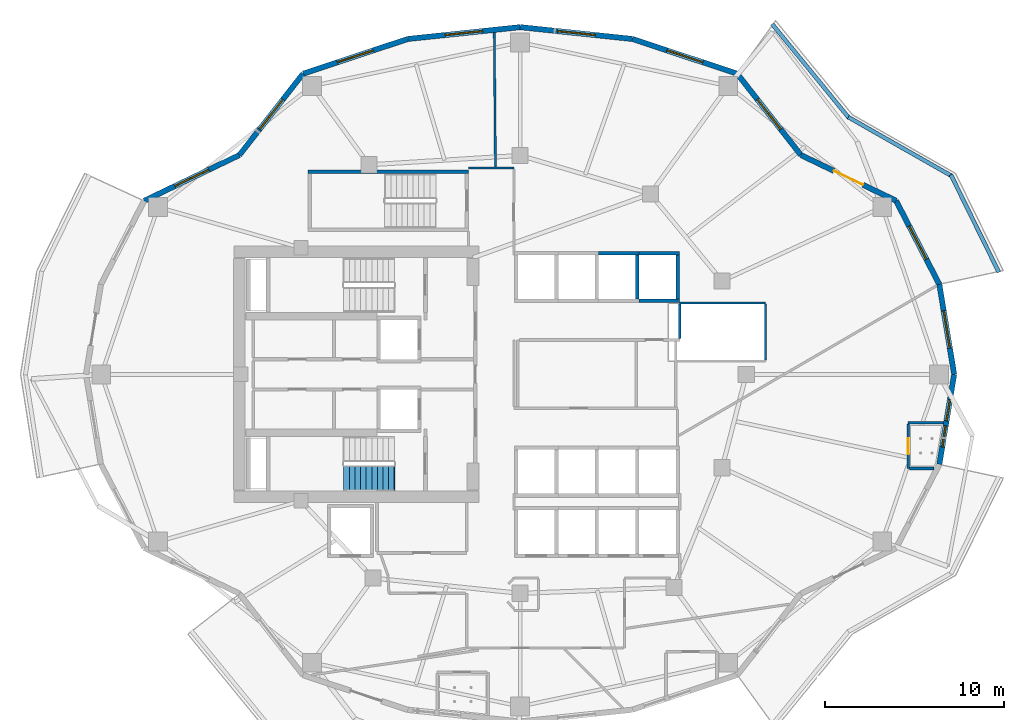
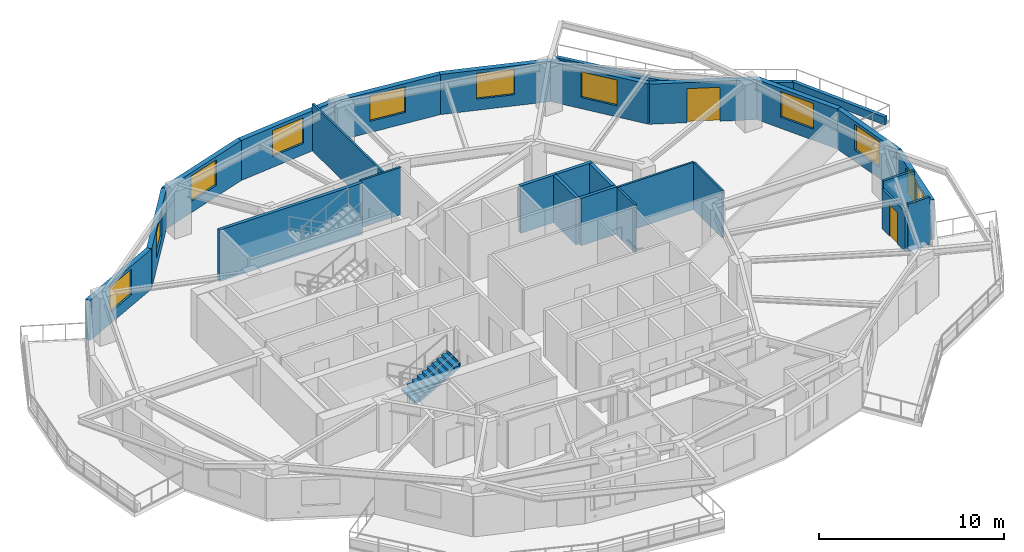
# One storey, part 6 of 14: 28 walls, 11 windows, 2 doors, 1 stair flight, 13 openings, 1 element without a shape of its own.
"""IFC4 building model written with IfcOpenShell, lengths in metres."""

import ifcopenshell
import ifcopenshell.guid

model = None  # the IFC model being written
_history = None  # IfcOwnerHistory: only IFC2X3 demands one
_inside = {}  # id of a spatial element -> (the spatial element, [elements in it])
_under = {}  # id of a project, library or spatial element -> (it, [spatial elements below it])
_declared = {}  # id of a project -> (the project, [libraries it declares])
_typed = {}  # id of a type object -> (the type object, [elements of that type])
_made_of = {}  # id of a material, layer set ... -> (it, [elements and type objects made of it])


def new_model(schema):
    """Start an empty IFC model of exactly this schema.

    Asked for "IFC4X3", IfcOpenShell would pick the latest addendum, in which some entities
    have other attributes; the version numbers below select the first issue.
    IFC2X3 requires an IfcOwnerHistory on every rooted entity: one is made here for all.
    """
    global model, _history
    if schema == "IFC4X3":
        model = ifcopenshell.file(schema_version=(4, 3, 0, 0))
    else:
        model = ifcopenshell.file(schema=schema)
    _inside.clear()
    _under.clear()
    _declared.clear()
    _typed.clear()
    _made_of.clear()
    _history = None
    if model.schema == "IFC2X3":
        org = make("IfcOrganization", Name="unknown")
        user = make(
            "IfcPersonAndOrganization",
            ThePerson=make("IfcPerson", FamilyName="unknown"),
            TheOrganization=org,
        )
        app = make(
            "IfcApplication",
            ApplicationDeveloper=org,
            Version="unknown",
            ApplicationFullName="unknown",
            ApplicationIdentifier="unknown",
        )
        _history = make(
            "IfcOwnerHistory",
            OwningUser=user,
            OwningApplication=app,
            ChangeAction="ADDED",
            CreationDate=0,
        )
    return model


def make(cls, **values):
    """One entity of the class cls with the attributes given. An attribute that is None is left unset."""
    return model.create_entity(
        cls, **{name: value for name, value in values.items() if value is not None}
    )


def rooted(cls, **values):
    """An entity with a GlobalId (a new one), such as an element, a storey or a relation."""
    return make(cls, GlobalId=ifcopenshell.guid.new(), OwnerHistory=_history, **values)


def si_unit(unit_type, name, prefix=None):
    """IfcSIUnit, for example si_unit("LENGTHUNIT", "METRE", prefix="MILLI")."""
    return make("IfcSIUnit", UnitType=unit_type, Prefix=prefix, Name=name)


def assignment(units):
    """IfcUnitAssignment: the units of a project."""
    return None if units is None else make("IfcUnitAssignment", Units=units)


def point(xyz):
    """IfcCartesianPoint."""
    return None if xyz is None else make("IfcCartesianPoint", Coordinates=xyz)


def direction(xyz):
    """IfcDirection."""
    return None if xyz is None else make("IfcDirection", DirectionRatios=xyz)


def frame(location, z_axis=None, x_axis=None):
    """IfcAxis2Placement3D, a coordinate frame: its origin and axes. An axis left out is left unset."""
    return make(
        "IfcAxis2Placement3D",
        Location=point(location),
        Axis=direction(z_axis),
        RefDirection=direction(x_axis),
    )


def frame_2d(location, x_axis=None):
    """IfcAxis2Placement2D, a coordinate frame in the plane: its origin and x axis."""
    return make(
        "IfcAxis2Placement2D", Location=point(location), RefDirection=direction(x_axis)
    )


def origin():
    """The frame at (0, 0, 0) with its axes left unset."""
    return frame((0.0, 0.0, 0.0))


def place(relative_to, where):
    """IfcLocalPlacement: puts the frame where relative to a parent placement (None: the world)."""
    return make(
        "IfcLocalPlacement", PlacementRelTo=relative_to, RelativePlacement=where
    )


def context(
    kind, dimensions, precision=None, world=None, true_north=None, identifier=None
):
    """IfcGeometricRepresentationContext, for example the 3D "Model" context."""
    return make(
        "IfcGeometricRepresentationContext",
        ContextIdentifier=identifier,
        ContextType=kind,
        CoordinateSpaceDimension=dimensions,
        Precision=precision,
        WorldCoordinateSystem=world,
        TrueNorth=true_north,
    )


def subcontext(parent, identifier, kind, view, scale=None):
    """IfcGeometricRepresentationSubContext, for example "Body" below "Model"."""
    return make(
        "IfcGeometricRepresentationSubContext",
        ContextIdentifier=identifier,
        ContextType=kind,
        ParentContext=parent,
        TargetScale=scale,
        TargetView=view,
    )


def project(units=None, contexts=None):
    """IfcProject with its units and contexts."""
    return rooted(
        "IfcProject",
        Name="project",
        RepresentationContexts=contexts,
        UnitsInContext=assignment(units),
    )


def spatial(cls, under=None, at=None, **own):
    """A site, building, storey or space (cls), placed at a placement, below another one or the project."""
    s = rooted(cls, ObjectPlacement=at, **own)
    if under is not None:
        _under.setdefault(under.id(), (under, []))[1].append(s)
    return s


def polyline(points):
    """IfcPolyline through the points."""
    return make("IfcPolyline", Points=[point(p) for p in points])


def profile(cls, at=None, kind="AREA", **sizes):
    """A parametric profile (cls). Its sizes go by their IFC names, for example OverallWidth=200.0."""
    return make(cls, ProfileType=kind, Position=at, **sizes)


def rectangle(**sizes):
    """IfcRectangleProfileDef."""
    return profile("IfcRectangleProfileDef", **sizes)


def outline(outer, holes=None, kind="AREA"):
    """IfcArbitraryClosedProfileDef: a profile drawn as a closed curve; with holes, ...WithVoids."""
    if holes is None:
        return make("IfcArbitraryClosedProfileDef", ProfileType=kind, OuterCurve=outer)
    return make(
        "IfcArbitraryProfileDefWithVoids",
        ProfileType=kind,
        OuterCurve=outer,
        InnerCurves=holes,
    )


def extrude(swept, where, along, depth):
    """IfcExtrudedAreaSolid: the profile swept, set in the frame where, extruded along a direction by depth."""
    return make(
        "IfcExtrudedAreaSolid",
        SweptArea=swept,
        Position=where,
        ExtrudedDirection=direction(along),
        Depth=depth,
    )


def shape(context_of_items, identifier, shape_type, items):
    """IfcShapeRepresentation: the items that make up one representation, for example the "Body"."""
    return make(
        "IfcShapeRepresentation",
        ContextOfItems=context_of_items,
        RepresentationIdentifier=identifier,
        RepresentationType=shape_type,
        Items=items,
    )


def material(Name=None, Category=None):
    """IfcMaterial."""
    return make("IfcMaterial", Name=Name, Category=Category)


def layer(
    of_material, thickness, ventilated=None, Name=None, Category=None, Priority=None
):
    """IfcMaterialLayer: one layer of a wall or slab, of a material (None: an air gap)."""
    return make(
        "IfcMaterialLayer",
        Material=of_material,
        LayerThickness=thickness,
        IsVentilated=ventilated,
        Name=Name,
        Category=Category,
        Priority=Priority,
    )


def layer_set(layers, Name=None):
    """IfcMaterialLayerSet."""
    return make("IfcMaterialLayerSet", MaterialLayers=layers, LayerSetName=Name)


def made_of(thing, what):
    """Note that an element or type object is made of a material, layer set ...; save() writes the relation."""
    if what is not None:
        _made_of.setdefault(what.id(), (what, []))[1].append(thing)
    return thing


def type_object(cls, material=None, **own):
    """A type object (cls), such as IfcWallType, which elements share."""
    return made_of(rooted(cls, **own), material)


def element(
    cls,
    number,
    at=None,
    inside=None,
    cuts=None,
    type_object=None,
    material=None,
    context=None,
    identifier="Body",
    shape_type=None,
    held_by="IfcProductDefinitionShape",
    body=None,
    shapes=None,
    **own,
):
    """One element of the class cls, such as IfcWall. Its Tag is "e" and its number.

    at: its placement. inside: the storey or other place that contains it. cuts: it is an
    opening in that element (IfcRelVoidsElement). A single representation is given by context,
    identifier, shape_type and body (its items); several are given by shapes. held_by: the class
    of the entity that holds the representations. save() writes the other relations.
    """
    e = rooted(cls, Tag="e%d" % number, ObjectPlacement=at, **own)
    if body is not None:
        shapes = [shape(context, identifier, shape_type, body)]
    if shapes is not None:
        e.Representation = make(held_by, Representations=shapes)
    if inside is not None:
        _inside.setdefault(inside.id(), (inside, []))[1].append(e)
    if cuts is not None:
        rooted(
            "IfcRelVoidsElement", RelatingBuildingElement=cuts, RelatedOpeningElement=e
        )
    if type_object is not None:
        _typed.setdefault(type_object.id(), (type_object, []))[1].append(e)
    return made_of(e, material)


def fill(opening, filler):
    """IfcRelFillsElement: the door or window that sits in an opening."""
    return rooted(
        "IfcRelFillsElement",
        RelatingOpeningElement=opening,
        RelatedBuildingElement=filler,
    )


def aggregate(whole, parts):
    """IfcRelAggregates: a whole, such as a stair, and the parts it consists of."""
    return rooted("IfcRelAggregates", RelatingObject=whole, RelatedObjects=parts)


def save(model, path):
    """Write the relations noted so far, then the file.

    IfcRelAggregates (storeys below a building ...), IfcRelContainedInSpatialStructure (elements
    in a storey), IfcRelDefinesByType, IfcRelAssociatesMaterial and IfcRelDeclares: one each for
    every whole, place, type object, material and project.
    """
    for whole, parts in _under.values():
        aggregate(whole, parts)
    for where, things in _inside.values():
        rooted(
            "IfcRelContainedInSpatialStructure",
            RelatedElements=things,
            RelatingStructure=where,
        )
    for kind, things in _typed.values():
        rooted("IfcRelDefinesByType", RelatedObjects=things, RelatingType=kind)
    for what, things in _made_of.values():
        rooted("IfcRelAssociatesMaterial", RelatedObjects=things, RelatingMaterial=what)
    for by, libraries in _declared.values():
        rooted("IfcRelDeclares", RelatingContext=by, RelatedDefinitions=libraries)
    model.write(path)


model = new_model("IFC4")

# Units and contexts
model_context = context("Model", 3, precision=1e-05, world=origin(), true_north=direction((0.0, 1.0)))
body_context = subcontext(model_context, "Body", "Model", "MODEL_VIEW")
ifc_project = project(units=[si_unit("LENGTHUNIT", "METRE"), si_unit("AREAUNIT", "SQUARE_METRE"), si_unit("VOLUMEUNIT", "CUBIC_METRE"), si_unit("PLANEANGLEUNIT", "RADIAN"), si_unit("MASSUNIT", "GRAM", prefix="KILO")], contexts=[model_context])

# Site, building, storey
site_placement = place(None, origin())
site = spatial("IfcSite", under=ifc_project, at=site_placement, CompositionType="ELEMENT")
building_placement = place(site_placement, origin())
building = spatial("IfcBuilding", under=site, at=building_placement, Name="Kolvaren Gate Tower and Convention Centre", CompositionType="ELEMENT")
storey_placement = place(building_placement, frame((0.0, 0.0, 105.300048828125)))
storey = spatial("IfcBuildingStorey", under=building, at=storey_placement, Name="L25", CompositionType="ELEMENT", Elevation=105.300048828125)

# Walls
ifc_material_1 = material(Name="Fire-Rated Acoustic Gypsum Stud Partition", Category="gypsum")
ifc_layer_1 = layer(ifc_material_1, 0.1201171875)
ifc_layer_set_1 = layer_set([ifc_layer_1], Name="Fire-Rated Acoustic Gypsum Stud Partition")
wall_type_1 = type_object("IfcWallType", Name="ARCH-WL-PART-120", PredefinedType="PARTITIONING", material=ifc_layer_set_1)
wall_1_placement = place(storey_placement, frame((27.25, 38.5, 0.0), z_axis=(0.0, 0.0, 1.0), x_axis=(1.0, 0.0, 0.0)))
element("IfcWall", 1, at=wall_1_placement, inside=storey, type_object=wall_type_1, Name="Interior Partition WL-L25-INT-026", PredefinedType="PARTITIONING", context=body_context, shape_type="SweptSolid", body=[
    extrude(rectangle(XDim=2.530029296875, YDim=0.1201171875, at=frame_2d((1.26513671875, 0.0))), origin(), (0.0, 0.0, 1.0), 3.1298828125),
])
wall_2_placement = place(storey_placement, frame((39.0, 30.97998046875, 0.0), z_axis=(0.0, 0.0, 1.0), x_axis=(1.0, 0.0, 0.0)))
element("IfcWall", 2, at=wall_2_placement, inside=storey, type_object=wall_type_1, Name="Interior Partition WL-L25-INT-030", PredefinedType="PARTITIONING", context=body_context, shape_type="SweptSolid", body=[
    extrude(rectangle(XDim=4.800048828125, YDim=0.1201171875, at=frame_2d((2.39990234375, 0.0))), origin(), (0.0, 0.0, 1.0), 3.1298828125),
])
wall_3_placement = place(storey_placement, frame((39.02001953125, 28.9970703125, 0.0), z_axis=(0.0, 0.0, 1.0), x_axis=(0.0, 1.0, 0.0)))
element("IfcWall", 3, at=wall_3_placement, inside=storey, type_object=wall_type_1, Name="Interior Partition WL-L25-INT-032", PredefinedType="PARTITIONING", context=body_context, shape_type="SweptSolid", body=[
    extrude(rectangle(XDim=1.9208984375, YDim=0.1201171875, at=frame_2d((0.96044921875, 0.0))), origin(), (0.0, 0.0, 1.0), 3.1298828125),
])
wall_4_placement = place(storey_placement, frame((43.800048828125, 27.81201171875, 0.0), z_axis=(0.0, 0.0, 1.0), x_axis=(0.0, 1.0, 0.0)))
element("IfcWall", 4, at=wall_4_placement, inside=storey, type_object=wall_type_1, Name="Interior Partition WL-L25-INT-052", PredefinedType="PARTITIONING", context=body_context, shape_type="SweptSolid", body=[
    extrude(rectangle(XDim=3.10595703125, YDim=0.1201171875, at=frame_2d((1.552978515625, 0.0))), origin(), (0.0, 0.0, 1.0), 3.1298828125),
])
wall_5_placement = place(storey_placement, frame((28.6845703125, 46.04541015625, 0.0), z_axis=(0.0, 0.0, 1.0), x_axis=(0.008677736673, -0.999962347734, 0.0)))
element("IfcWall", 5, at=wall_5_placement, inside=storey, type_object=wall_type_1, Name="Interior Partition WL-L25-INT-053", PredefinedType="PARTITIONING", context=body_context, shape_type="SweptSolid", body=[
    extrude(rectangle(XDim=7.483642578125, YDim=0.1201171875, at=frame_2d((3.74169921875, 0.0))), origin(), (0.0, 0.0, 1.0), 3.1298828125),
])
ifc_material_2 = material(Name="Piedmont Cream Honed Limestone Cladding", Category="masonry")
ifc_layer_2 = layer(ifc_material_2, 0.219970703125)
ifc_layer_set_2 = layer_set([ifc_layer_2], Name="Piedmont Cream Honed Limestone Cladding")
wall_type_2 = type_object("IfcWallType", Name="ARCH-WL-PLANTER-220", PredefinedType="PARAPET", material=ifc_layer_set_2)
wall_6_placement = place(storey_placement, frame((54.12890625, 38.12158203125, 0.0), z_axis=(0.0, 0.0, 1.0), x_axis=(0.441269631716, -0.897374566235, 0.0)))
element("IfcWall", 6, at=wall_6_placement, inside=storey, type_object=wall_type_2, Name="Vertical-Forest Balcony Stone Planter Kerb PK-L25-1.1", PredefinedType="PARAPET", context=body_context, shape_type="SweptSolid", body=[
    extrude(rectangle(XDim=6.05615234375, YDim=0.219970703125, at=frame_2d((3.028076171875, 0.0))), origin(), (0.0, 0.0, 1.0), 0.52001953125),
])
wall_7_placement = place(storey_placement, frame((48.41259765625, 41.332275390625, 0.0), z_axis=(0.0, 0.0, 1.0), x_axis=(0.869187658335, -0.494482370361, 0.0)))
element("IfcWall", 7, at=wall_7_placement, inside=storey, type_object=wall_type_2, Name="Vertical-Forest Balcony Stone Planter Kerb PK-L25-1.2", PredefinedType="PARAPET", context=body_context, shape_type="SweptSolid", body=[
    extrude(rectangle(XDim=6.606201171875, YDim=0.219970703125, at=frame_2d((3.30322265625, 0.0))), origin(), (0.0, 0.0, 1.0), 0.52001953125),
])
wall_8_placement = place(storey_placement, frame((44.1669921875, 46.523193359375, 0.0), z_axis=(0.0, 0.0, 1.0), x_axis=(0.633002467947, -0.77414977593, 0.0)))
element("IfcWall", 8, at=wall_8_placement, inside=storey, type_object=wall_type_2, Name="Vertical-Forest Balcony Stone Planter Kerb PK-L25-1.3", PredefinedType="PARAPET", context=body_context, shape_type="SweptSolid", body=[
    extrude(rectangle(XDim=6.7802734375, YDim=0.219970703125, at=frame_2d((3.39013671875, 0.0))), origin(), (0.0, 0.0, 1.0), 0.52001953125),
])
ifc_material_3 = material(Name="Autoclaved Aerated Masonry Blockwork Class 4 (4.0 MPa)", Category="masonry")
ifc_layer_3 = layer(ifc_material_3, 0.199951171875)
ifc_layer_set_3 = layer_set([ifc_layer_3], Name="Autoclaved Aerated Masonry Blockwork Class 4 (4.0 MPa)")
wall_type_3 = type_object("IfcWallType", Name="ARCH-WL-SHAFT-200", PredefinedType="SOLIDWALL", material=ifc_layer_set_3)
wall_9_placement = place(storey_placement, frame((34.5, 33.75, 0.0), z_axis=(0.0, 0.0, 1.0), x_axis=(1.0, 0.0, 0.0)))
element("IfcWall", 9, at=wall_9_placement, inside=storey, type_object=wall_type_3, Name="Elevator PL-03 L25 Fire Shaft Wall N", PredefinedType="SOLIDWALL", context=body_context, shape_type="SweptSolid", body=[
    extrude(rectangle(XDim=2.25, YDim=0.199951171875, at=frame_2d((1.125, 0.0))), origin(), (0.0, 0.0, 1.0), 3.1298828125),
])
wall_10_placement = place(storey_placement, frame((36.64990234375, 31.2099609375, 0.0), z_axis=(0.0, 0.0, 1.0), x_axis=(0.0, 1.0, 0.0)))
element("IfcWall", 10, at=wall_10_placement, inside=storey, type_object=wall_type_3, Name="Elevator PL-03 L25 Fire Shaft Wall E", PredefinedType="SOLIDWALL", context=body_context, shape_type="SweptSolid", body=[
    extrude(rectangle(XDim=2.429931640625, YDim=0.199951171875, at=frame_2d((1.21484375, 0.0))), origin(), (0.0, 0.0, 1.0), 3.1298828125),
])
for number, where, z_axis, x_axis, name in (
    (11, (36.75, 33.75, 0.0), (0.0, 0.0, 1.0), (1.0, 0.0, 0.0), "Elevator PL-04 L25 Fire Shaft Wall N"),
    (12, (36.75, 31.10009765625, 0.0), (0.0, 0.0, 1.0), (1.0, 0.0, 0.0), "Elevator PL-04 L25 Fire Shaft Wall S"),
):
    element("IfcWall", number, at=place(storey_placement, frame(where, z_axis=z_axis, x_axis=x_axis)), inside=storey, type_object=wall_type_3, Name=name, PredefinedType="SOLIDWALL", context=body_context, shape_type="SweptSolid", body=[
        extrude(rectangle(XDim=2.25, YDim=0.199951171875, at=frame_2d((1.125, 0.0))), origin(), (0.0, 0.0, 1.0), 3.1298828125),
    ])
wall_11_placement = place(storey_placement, frame((38.89990234375, 31.2099609375, 0.0), z_axis=(0.0, 0.0, 1.0), x_axis=(0.0, 1.0, 0.0)))
element("IfcWall", 13, at=wall_11_placement, inside=storey, type_object=wall_type_3, Name="Elevator PL-04 L25 Fire Shaft Wall E", PredefinedType="SOLIDWALL", context=body_context, shape_type="SweptSolid", body=[
    extrude(rectangle(XDim=2.429931640625, YDim=0.199951171875, at=frame_2d((1.21484375, 0.0))), origin(), (0.0, 0.0, 1.0), 3.1298828125),
])

# Wall, opening, window
ifc_layer_4 = layer(ifc_material_2, 0.300048828125)
ifc_layer_set_4 = layer_set([ifc_layer_4], Name="Piedmont Cream Honed Limestone Cladding")
wall_type_4 = type_object("IfcWallType", Name="ARCH-WL-STONE-300", PredefinedType="SOLIDWALL", material=ifc_layer_set_4)
wall_12_placement = place(storey_placement, frame((53.48828125, 32.008056640625, 0.0), z_axis=(0.0, 0.0, 1.0), x_axis=(0.162393944769, -0.986726003864, 0.0)))
wall_12 = element("IfcWall", 14, at=wall_12_placement, inside=storey, type_object=wall_type_4, Name="Tower L25 Honed Stone Spandrel Wall EW-00", PredefinedType="SOLIDWALL", context=body_context, shape_type="SweptSolid", body=[
    extrude(rectangle(XDim=5.075439453125, YDim=0.300048828125, at=frame_2d((2.53759765625, 0.0))), origin(), (0.0, 0.0, 1.0), 2.65283203125),
])
opening_1_placement = place(wall_12_placement, frame((1.488037109375, 0.0, 0.739990234375)))
opening_1 = element("IfcOpeningElement", 15, at=opening_1_placement, cuts=wall_12, Name="Opening W-02", PredefinedType="OPENING", context=body_context, shape_type="SweptSolid", body=[
    extrude(rectangle(XDim=2.10009765625, YDim=1.699951171875, at=frame_2d((1.050048828125, 0.85009765625))), frame((0.0, 0.159912109375, 0.0), z_axis=(0.0, -1.0, 0.0), x_axis=(1.0, 0.0, 0.0)), (0.0, 0.0, 1.0), 0.320068359375),
])
ifc_material_4 = material(Name="Low-E Triple Insulated Glazing Unit 44 mm", Category="glass")
window_type_1 = type_object("IfcWindowType", Name="ARCH-WN-HTL-2100", PartitioningType="SINGLE_PANEL", PredefinedType="WINDOW", material=ifc_material_4)
window_1_placement = place(opening_1_placement, origin())
window_1 = element("IfcWindow", 16, at=window_1_placement, inside=storey, type_object=window_type_1, Name="Tower L25 Punched Stone Facade Window W-00", OverallHeight=1.699951171875, OverallWidth=2.10009765625, PartitioningType="SINGLE_PANEL", PredefinedType="WINDOW", context=body_context, shape_type="SweptSolid", body=[
    extrude(rectangle(XDim=2.10009765625, YDim=1.699951171875, at=frame_2d((1.050048828125, 0.85009765625))), frame((0.0, 0.030029296875, 0.0), z_axis=(0.0, -1.0, 0.0), x_axis=(1.0, 0.0, 0.0)), (0.0, 0.0, 1.0), 0.06005859375),
])
fill(opening_1, window_1)

wall_13_placement = place(storey_placement, frame((51.072021484375, 36.675048828125, 0.0), z_axis=(0.0, 0.0, 1.0), x_axis=(0.459767899643, -0.888039119892, 0.0)))
wall_13 = element("IfcWall", 17, at=wall_13_placement, inside=storey, type_object=wall_type_4, Name="Tower L25 Honed Stone Spandrel Wall EW-01", PredefinedType="SOLIDWALL", context=body_context, shape_type="SweptSolid", body=[
    extrude(rectangle(XDim=5.25537109375, YDim=0.300048828125, at=frame_2d((2.627685546875, 0.0))), origin(), (0.0, 0.0, 1.0), 2.65283203125),
])
opening_2_placement = place(wall_13_placement, frame((1.577880859375, 0.0, 0.739990234375)))
opening_2 = element("IfcOpeningElement", 18, at=opening_2_placement, cuts=wall_13, Name="Opening W-02", PredefinedType="OPENING", context=body_context, shape_type="SweptSolid", body=[
    extrude(rectangle(XDim=2.10009765625, YDim=1.699951171875, at=frame_2d((1.050048828125, 0.85009765625))), frame((0.0, 0.159912109375, 0.0), z_axis=(0.0, -1.0, 0.0), x_axis=(1.0, 0.0, 0.0)), (0.0, 0.0, 1.0), 0.320068359375),
])
window_2_placement = place(opening_2_placement, origin())
window_2 = element("IfcWindow", 19, at=window_2_placement, inside=storey, type_object=window_type_1, Name="Tower L25 Punched Stone Facade Window W-01", OverallHeight=1.699951171875, OverallWidth=2.10009765625, PartitioningType="SINGLE_PANEL", PredefinedType="WINDOW", context=body_context, shape_type="SweptSolid", body=[
    extrude(rectangle(XDim=2.10009765625, YDim=1.699951171875, at=frame_2d((1.050048828125, 0.85009765625))), frame((0.0, 0.030029296875, 0.0), z_axis=(0.0, -1.0, 0.0), x_axis=(1.0, 0.0, 0.0)), (0.0, 0.0, 1.0), 0.06005859375),
])
fill(opening_2, window_2)

# Wall, opening, door
wall_14_placement = place(storey_placement, frame((45.768798828125, 39.222900390625, 0.0), z_axis=(0.0, 0.0, 1.0), x_axis=(0.901370184739, -0.433049408339, 0.0)))
wall_14 = element("IfcWall", 20, at=wall_14_placement, inside=storey, type_object=wall_type_4, Name="Tower L25 Honed Stone Spandrel Wall EW-02", PredefinedType="SOLIDWALL", context=body_context, shape_type="SweptSolid", body=[
    extrude(rectangle(XDim=5.883544921875, YDim=0.300048828125, at=frame_2d((2.94189453125, 0.0))), origin(), (0.0, 0.0, 1.0), 2.65283203125),
])
opening_3_placement = place(wall_14_placement, frame((2.0419921875, 0.0, 0.0)))
opening_3 = element("IfcOpeningElement", 21, at=opening_3_placement, cuts=wall_14, Name="Opening DB-01", PredefinedType="OPENING", context=body_context, shape_type="SweptSolid", body=[
    extrude(rectangle(XDim=1.800048828125, YDim=2.25, at=frame_2d((0.89990234375, 1.125))), frame((0.0, 0.159912109375, 0.0), z_axis=(0.0, -1.0, 0.0), x_axis=(1.0, 0.0, 0.0)), (0.0, 0.0, 1.0), 0.320068359375),
])
ifc_material_5 = material(Name="Anodized Architectural Aluminium Alloy 6063-T6", Category="aluminium")
door_type_1 = type_object("IfcDoorType", Name="ARCH-DR-BALC-1800", OperationType="SLIDING_TO_LEFT", PredefinedType="DOOR", material=ifc_material_5)
door_1_placement = place(opening_3_placement, origin())
door_1 = element("IfcDoor", 22, at=door_1_placement, inside=storey, type_object=door_type_1, Name="Planted Sky Terrace Access Door DB-L25-02", OperationType="SLIDING_TO_LEFT", OverallHeight=2.25, OverallWidth=1.800048828125, PredefinedType="DOOR", context=body_context, shape_type="SweptSolid", body=[
    extrude(rectangle(XDim=1.800048828125, YDim=2.25, at=frame_2d((0.89990234375, 1.125))), frame((0.0, 0.02490234375, 0.0), z_axis=(0.0, -1.0, 0.0), x_axis=(1.0, 0.0, 0.0)), (0.0, 0.0, 1.0), 0.050048828125),
])
fill(opening_3, door_1)

# Wall, opening, window
wall_15_placement = place(storey_placement, frame((42.21875, 43.757568359375, 0.0), z_axis=(0.0, 0.0, 1.0), x_axis=(0.616435134162, -0.787405693001, 0.0)))
wall_15 = element("IfcWall", 23, at=wall_15_placement, inside=storey, type_object=wall_type_4, Name="Tower L25 Honed Stone Spandrel Wall EW-03", PredefinedType="SOLIDWALL", context=body_context, shape_type="SweptSolid", body=[
    extrude(rectangle(XDim=5.759033203125, YDim=0.300048828125, at=frame_2d((2.87939453125, 0.0))), origin(), (0.0, 0.0, 1.0), 2.65283203125),
])
opening_4_placement = place(wall_15_placement, frame((1.8291015625, 0.0, 0.739990234375)))
opening_4 = element("IfcOpeningElement", 24, at=opening_4_placement, cuts=wall_15, Name="Opening W-02", PredefinedType="OPENING", context=body_context, shape_type="SweptSolid", body=[
    extrude(rectangle(XDim=2.10009765625, YDim=1.699951171875, at=frame_2d((1.050048828125, 0.85009765625))), frame((0.0, 0.159912109375, 0.0), z_axis=(0.0, -1.0, 0.0), x_axis=(1.0, 0.0, 0.0)), (0.0, 0.0, 1.0), 0.320068359375),
])
window_3_placement = place(opening_4_placement, origin())
window_3 = element("IfcWindow", 25, at=window_3_placement, inside=storey, type_object=window_type_1, Name="Tower L25 Punched Stone Facade Window W-03", OverallHeight=1.699951171875, OverallWidth=2.10009765625, PartitioningType="SINGLE_PANEL", PredefinedType="WINDOW", context=body_context, shape_type="SweptSolid", body=[
    extrude(rectangle(XDim=2.10009765625, YDim=1.699951171875, at=frame_2d((1.050048828125, 0.85009765625))), frame((0.0, 0.030029296875, 0.0), z_axis=(0.0, -1.0, 0.0), x_axis=(1.0, 0.0, 0.0)), (0.0, 0.0, 1.0), 0.06005859375),
])
fill(opening_4, window_3)

wall_16_placement = place(storey_placement, frame((36.38525390625, 45.690673828125, 0.0), z_axis=(0.0, 0.0, 1.0), x_axis=(0.949238009374, -0.314558741032, 0.0)))
wall_16 = element("IfcWall", 26, at=wall_16_placement, inside=storey, type_object=wall_type_4, Name="Tower L25 Honed Stone Spandrel Wall EW-04", PredefinedType="SOLIDWALL", context=body_context, shape_type="SweptSolid", body=[
    extrude(rectangle(XDim=6.1455078125, YDim=0.300048828125, at=frame_2d((3.07275390625, 0.0))), origin(), (0.0, 0.0, 1.0), 2.65283203125),
])
opening_5_placement = place(wall_16_placement, frame((2.02294921875, 0.0, 0.739990234375)))
opening_5 = element("IfcOpeningElement", 27, at=opening_5_placement, cuts=wall_16, Name="Opening W-02", PredefinedType="OPENING", context=body_context, shape_type="SweptSolid", body=[
    extrude(rectangle(XDim=2.10009765625, YDim=1.699951171875, at=frame_2d((1.050048828125, 0.85009765625))), frame((0.0, 0.159912109375, 0.0), z_axis=(0.0, -1.0, 0.0), x_axis=(1.0, 0.0, 0.0)), (0.0, 0.0, 1.0), 0.320068359375),
])
window_4_placement = place(opening_5_placement, origin())
window_4 = element("IfcWindow", 28, at=window_4_placement, inside=storey, type_object=window_type_1, Name="Tower L25 Punched Stone Facade Window W-04", OverallHeight=1.699951171875, OverallWidth=2.10009765625, PartitioningType="SINGLE_PANEL", PredefinedType="WINDOW", context=body_context, shape_type="SweptSolid", body=[
    extrude(rectangle(XDim=2.10009765625, YDim=1.699951171875, at=frame_2d((1.050048828125, 0.85009765625))), frame((0.0, 0.030029296875, 0.0), z_axis=(0.0, -1.0, 0.0), x_axis=(1.0, 0.0, 0.0)), (0.0, 0.0, 1.0), 0.06005859375),
])
fill(opening_5, window_4)

wall_17_placement = place(storey_placement, frame((30.125, 46.35009765625, 0.0), z_axis=(0.0, 0.0, 1.0), x_axis=(0.994498012394, -0.104755445421, 0.0)))
wall_17 = element("IfcWall", 29, at=wall_17_placement, inside=storey, type_object=wall_type_4, Name="Tower L25 Honed Stone Spandrel Wall EW-05", PredefinedType="SOLIDWALL", context=body_context, shape_type="SweptSolid", body=[
    extrude(rectangle(XDim=6.294921875, YDim=0.300048828125, at=frame_2d((3.1474609375, 0.0))), origin(), (0.0, 0.0, 1.0), 2.65283203125),
])
opening_6_placement = place(wall_17_placement, frame((2.096923828125, 0.0, 0.739990234375)))
opening_6 = element("IfcOpeningElement", 30, at=opening_6_placement, cuts=wall_17, Name="Opening W-02", PredefinedType="OPENING", context=body_context, shape_type="SweptSolid", body=[
    extrude(rectangle(XDim=2.10009765625, YDim=1.699951171875, at=frame_2d((1.050048828125, 0.85009765625))), frame((0.0, 0.159912109375, 0.0), z_axis=(0.0, -1.0, 0.0), x_axis=(1.0, 0.0, 0.0)), (0.0, 0.0, 1.0), 0.320068359375),
])
window_5_placement = place(opening_6_placement, origin())
window_5 = element("IfcWindow", 31, at=window_5_placement, inside=storey, type_object=window_type_1, Name="Tower L25 Punched Stone Facade Window W-05", OverallHeight=1.699951171875, OverallWidth=2.10009765625, PartitioningType="SINGLE_PANEL", PredefinedType="WINDOW", context=body_context, shape_type="SweptSolid", body=[
    extrude(rectangle(XDim=2.10009765625, YDim=1.699951171875, at=frame_2d((1.050048828125, 0.85009765625))), frame((0.0, 0.030029296875, 0.0), z_axis=(0.0, -1.0, 0.0), x_axis=(1.0, 0.0, 0.0)), (0.0, 0.0, 1.0), 0.06005859375),
])
fill(opening_6, window_5)

wall_18_placement = place(storey_placement, frame((23.86474609375, 45.690673828125, 0.0), z_axis=(0.0, 0.0, 1.0), x_axis=(0.994498012394, 0.104755445421, 0.0)))
wall_18 = element("IfcWall", 32, at=wall_18_placement, inside=storey, type_object=wall_type_4, Name="Tower L25 Honed Stone Spandrel Wall EW-06", PredefinedType="SOLIDWALL", context=body_context, shape_type="SweptSolid", body=[
    extrude(rectangle(XDim=6.294921875, YDim=0.300048828125, at=frame_2d((3.1474609375, 0.0))), origin(), (0.0, 0.0, 1.0), 2.65283203125),
])
opening_7_placement = place(wall_18_placement, frame((2.096923828125, 0.0, 0.739990234375)))
opening_7 = element("IfcOpeningElement", 33, at=opening_7_placement, cuts=wall_18, Name="Opening W-02", PredefinedType="OPENING", context=body_context, shape_type="SweptSolid", body=[
    extrude(rectangle(XDim=2.10009765625, YDim=1.699951171875, at=frame_2d((1.050048828125, 0.85009765625))), frame((0.0, 0.159912109375, 0.0), z_axis=(0.0, -1.0, 0.0), x_axis=(1.0, 0.0, 0.0)), (0.0, 0.0, 1.0), 0.320068359375),
])
window_6_placement = place(opening_7_placement, origin())
window_6 = element("IfcWindow", 34, at=window_6_placement, inside=storey, type_object=window_type_1, Name="Tower L25 Punched Stone Facade Window W-06", OverallHeight=1.699951171875, OverallWidth=2.10009765625, PartitioningType="SINGLE_PANEL", PredefinedType="WINDOW", context=body_context, shape_type="SweptSolid", body=[
    extrude(rectangle(XDim=2.10009765625, YDim=1.699951171875, at=frame_2d((1.050048828125, 0.85009765625))), frame((0.0, 0.030029296875, 0.0), z_axis=(0.0, -1.0, 0.0), x_axis=(1.0, 0.0, 0.0)), (0.0, 0.0, 1.0), 0.06005859375),
])
fill(opening_7, window_6)

wall_19_placement = place(storey_placement, frame((18.03125, 43.757568359375, 0.0), z_axis=(0.0, 0.0, 1.0), x_axis=(0.949238009374, 0.314558741032, 0.0)))
wall_19 = element("IfcWall", 35, at=wall_19_placement, inside=storey, type_object=wall_type_4, Name="Tower L25 Honed Stone Spandrel Wall EW-07", PredefinedType="SOLIDWALL", context=body_context, shape_type="SweptSolid", body=[
    extrude(rectangle(XDim=6.1455078125, YDim=0.300048828125, at=frame_2d((3.07275390625, 0.0))), origin(), (0.0, 0.0, 1.0), 2.65283203125),
])
opening_8_placement = place(wall_19_placement, frame((2.02294921875, 0.0, 0.739990234375)))
opening_8 = element("IfcOpeningElement", 36, at=opening_8_placement, cuts=wall_19, Name="Opening W-02", PredefinedType="OPENING", context=body_context, shape_type="SweptSolid", body=[
    extrude(rectangle(XDim=2.10009765625, YDim=1.699951171875, at=frame_2d((1.050048828125, 0.85009765625))), frame((0.0, 0.159912109375, 0.0), z_axis=(0.0, -1.0, 0.0), x_axis=(1.0, 0.0, 0.0)), (0.0, 0.0, 1.0), 0.320068359375),
])
window_7_placement = place(opening_8_placement, origin())
window_7 = element("IfcWindow", 37, at=window_7_placement, inside=storey, type_object=window_type_1, Name="Tower L25 Punched Stone Facade Window W-07", OverallHeight=1.699951171875, OverallWidth=2.10009765625, PartitioningType="SINGLE_PANEL", PredefinedType="WINDOW", context=body_context, shape_type="SweptSolid", body=[
    extrude(rectangle(XDim=2.10009765625, YDim=1.699951171875, at=frame_2d((1.050048828125, 0.85009765625))), frame((0.0, 0.030029296875, 0.0), z_axis=(0.0, -1.0, 0.0), x_axis=(1.0, 0.0, 0.0)), (0.0, 0.0, 1.0), 0.06005859375),
])
fill(opening_8, window_7)

wall_20_placement = place(storey_placement, frame((14.481201171875, 39.222900390625, 0.0), z_axis=(0.0, 0.0, 1.0), x_axis=(0.616435134162, 0.787405693001, 0.0)))
wall_20 = element("IfcWall", 38, at=wall_20_placement, inside=storey, type_object=wall_type_4, Name="Tower L25 Honed Stone Spandrel Wall EW-08", PredefinedType="SOLIDWALL", context=body_context, shape_type="SweptSolid", body=[
    extrude(rectangle(XDim=5.759033203125, YDim=0.300048828125, at=frame_2d((2.87939453125, 0.0))), origin(), (0.0, 0.0, 1.0), 2.65283203125),
])
opening_9_placement = place(wall_20_placement, frame((1.8291015625, 0.0, 0.739990234375)))
opening_9 = element("IfcOpeningElement", 39, at=opening_9_placement, cuts=wall_20, Name="Opening W-02", PredefinedType="OPENING", context=body_context, shape_type="SweptSolid", body=[
    extrude(rectangle(XDim=2.10009765625, YDim=1.699951171875, at=frame_2d((1.050048828125, 0.85009765625))), frame((0.0, 0.159912109375, 0.0), z_axis=(0.0, -1.0, 0.0), x_axis=(1.0, 0.0, 0.0)), (0.0, 0.0, 1.0), 0.320068359375),
])
window_8_placement = place(opening_9_placement, origin())
window_8 = element("IfcWindow", 40, at=window_8_placement, inside=storey, type_object=window_type_1, Name="Tower L25 Punched Stone Facade Window W-08", OverallHeight=1.699951171875, OverallWidth=2.10009765625, PartitioningType="SINGLE_PANEL", PredefinedType="WINDOW", context=body_context, shape_type="SweptSolid", body=[
    extrude(rectangle(XDim=2.10009765625, YDim=1.699951171875, at=frame_2d((1.050048828125, 0.85009765625))), frame((0.0, 0.030029296875, 0.0), z_axis=(0.0, -1.0, 0.0), x_axis=(1.0, 0.0, 0.0)), (0.0, 0.0, 1.0), 0.06005859375),
])
fill(opening_9, window_8)

wall_21_placement = place(storey_placement, frame((9.177978515625, 36.675048828125, 0.0), z_axis=(0.0, 0.0, 1.0), x_axis=(0.901370184739, 0.433049408339, 0.0)))
wall_21 = element("IfcWall", 41, at=wall_21_placement, inside=storey, type_object=wall_type_4, Name="Tower L25 Honed Stone Spandrel Wall EW-09", PredefinedType="SOLIDWALL", context=body_context, shape_type="SweptSolid", body=[
    extrude(rectangle(XDim=5.883544921875, YDim=0.300048828125, at=frame_2d((2.94189453125, 0.0))), origin(), (0.0, 0.0, 1.0), 2.65283203125),
])
opening_10_placement = place(wall_21_placement, frame((1.89208984375, 0.0, 0.739990234375)))
opening_10 = element("IfcOpeningElement", 42, at=opening_10_placement, cuts=wall_21, Name="Opening W-02", PredefinedType="OPENING", context=body_context, shape_type="SweptSolid", body=[
    extrude(rectangle(XDim=2.10009765625, YDim=1.699951171875, at=frame_2d((1.050048828125, 0.85009765625))), frame((0.0, 0.159912109375, 0.0), z_axis=(0.0, -1.0, 0.0), x_axis=(1.0, 0.0, 0.0)), (0.0, 0.0, 1.0), 0.320068359375),
])
window_9_placement = place(opening_10_placement, origin())
window_9 = element("IfcWindow", 43, at=window_9_placement, inside=storey, type_object=window_type_1, Name="Tower L25 Punched Stone Facade Window W-09", OverallHeight=1.699951171875, OverallWidth=2.10009765625, PartitioningType="SINGLE_PANEL", PredefinedType="WINDOW", context=body_context, shape_type="SweptSolid", body=[
    extrude(rectangle(XDim=2.10009765625, YDim=1.699951171875, at=frame_2d((1.050048828125, 0.85009765625))), frame((0.0, 0.030029296875, 0.0), z_axis=(0.0, -1.0, 0.0), x_axis=(1.0, 0.0, 0.0)), (0.0, 0.0, 1.0), 0.06005859375),
])
fill(opening_10, window_9)

# Wall, openings, windows
wall_22_placement = place(storey_placement, frame((53.48828125, 21.991943359375, 0.0), z_axis=(0.0, 0.0, 1.0), x_axis=(0.162393944769, 0.986726003864, 0.0)))
wall_22 = element("IfcWall", 44, at=wall_22_placement, inside=storey, type_object=wall_type_4, Name="Tower L25 Honed Stone Spandrel Wall EW-23", PredefinedType="SOLIDWALL", context=body_context, shape_type="SweptSolid", body=[
    extrude(rectangle(XDim=5.075439453125, YDim=0.300048828125, at=frame_2d((2.53759765625, 0.0))), origin(), (0.0, 0.0, 1.0), 2.65283203125),
])
opening_11_placement = place(wall_22_placement, frame((0.973876953125, 0.0, 0.739990234375)))
opening_11 = element("IfcOpeningElement", 45, at=opening_11_placement, cuts=wall_22, Name="Opening W-04", PredefinedType="OPENING", context=body_context, shape_type="SweptSolid", body=[
    extrude(rectangle(XDim=1.199951171875, YDim=1.699951171875, at=frame_2d((0.60009765625, 0.85009765625))), frame((0.0, 0.159912109375, 0.0), z_axis=(0.0, -1.0, 0.0), x_axis=(1.0, 0.0, 0.0)), (0.0, 0.0, 1.0), 0.320068359375),
])
opening_12_placement = place(wall_22_placement, frame((2.444091796875, 0.0, 0.739990234375)))
opening_12 = element("IfcOpeningElement", 46, at=opening_12_placement, cuts=wall_22, Name="Opening W-04", PredefinedType="OPENING", context=body_context, shape_type="SweptSolid", body=[
    extrude(rectangle(XDim=1.199951171875, YDim=1.699951171875, at=frame_2d((0.60009765625, 0.85009765625))), frame((0.0, 0.159912109375, 0.0), z_axis=(0.0, -1.0, 0.0), x_axis=(1.0, 0.0, 0.0)), (0.0, 0.0, 1.0), 0.320068359375),
])
window_type_2 = type_object("IfcWindowType", Name="ARCH-WN-NARROW-1200", PartitioningType="SINGLE_PANEL", PredefinedType="WINDOW", material=ifc_material_4)
window_10_placement = place(opening_11_placement, origin())
window_10 = element("IfcWindow", 47, at=window_10_placement, inside=storey, type_object=window_type_2, Name="Tower L25 Punched Stone Facade Window W-23", OverallHeight=1.699951171875, OverallWidth=1.199951171875, PartitioningType="SINGLE_PANEL", PredefinedType="WINDOW", context=body_context, shape_type="SweptSolid", body=[
    extrude(rectangle(XDim=1.199951171875, YDim=1.699951171875, at=frame_2d((0.60009765625, 0.85009765625))), frame((0.0, 0.030029296875, 0.0), z_axis=(0.0, -1.0, 0.0), x_axis=(1.0, 0.0, 0.0)), (0.0, 0.0, 1.0), 0.06005859375),
])
fill(opening_11, window_10)
window_11_placement = place(opening_12_placement, origin())
window_11 = element("IfcWindow", 48, at=window_11_placement, inside=storey, type_object=window_type_2, Name="Tower L25 Punched Stone Facade Window W-23B", OverallHeight=1.699951171875, OverallWidth=1.199951171875, PartitioningType="SINGLE_PANEL", PredefinedType="WINDOW", context=body_context, shape_type="SweptSolid", body=[
    extrude(rectangle(XDim=1.199951171875, YDim=1.699951171875, at=frame_2d((0.60009765625, 0.85009765625))), frame((0.0, 0.030029296875, 0.0), z_axis=(0.0, -1.0, 0.0), x_axis=(1.0, 0.0, 0.0)), (0.0, 0.0, 1.0), 0.06005859375),
])
fill(opening_12, window_11)

# Wall
ifc_material_6 = material(Name="Moisture-Resistant Cement-Board Acoustic Partition", Category="gypsum")
ifc_layer_5 = layer(ifc_material_6, 0.14990234375)
ifc_layer_set_5 = layer_set([ifc_layer_5], Name="Moisture-Resistant Cement-Board Acoustic Partition")
wall_type_5 = type_object("IfcWallType", Name="ARCH-WL-WET-150", PredefinedType="PARTITIONING", material=ifc_layer_set_5)
wall_23_placement = place(storey_placement, frame((51.75, 24.300048828125, 0.0), z_axis=(0.0, 0.0, 1.0), x_axis=(1.0, 0.0, 0.0)))
element("IfcWall", 49, at=wall_23_placement, inside=storey, type_object=wall_type_5, Name="Interior Partition WL-L25-INT-047", PredefinedType="PARTITIONING", context=body_context, shape_type="SweptSolid", body=[
    extrude(rectangle(XDim=1.964111328125, YDim=0.14990234375, at=frame_2d((0.98193359375, 0.0))), origin(), (0.0, 0.0, 1.0), 3.1298828125),
])

# Wall, opening, door
wall_24_placement = place(storey_placement, frame((51.75, 21.75, 0.0), z_axis=(0.0, 0.0, 1.0), x_axis=(0.0, 1.0, 0.0)))
wall_24 = element("IfcWall", 50, at=wall_24_placement, inside=storey, type_object=wall_type_5, Name="Interior Partition WL-L25-INT-048", PredefinedType="PARTITIONING", context=body_context, shape_type="SweptSolid", body=[
    extrude(rectangle(XDim=2.472900390625, YDim=0.14990234375, at=frame_2d((1.236328125, 0.0))), origin(), (0.0, 0.0, 1.0), 2.65283203125),
])
opening_13_placement = place(wall_24_placement, frame((0.78662109375, 0.0, 0.0)))
opening_13 = element("IfcOpeningElement", 51, at=opening_13_placement, cuts=wall_24, Name="Opening DW-01", PredefinedType="OPENING", context=body_context, shape_type="SweptSolid", body=[
    extrude(rectangle(XDim=0.89990234375, YDim=2.10009765625, at=frame_2d((0.449951171875, 1.050048828125))), frame((0.0, 0.0849609375, 0.0), z_axis=(0.0, -1.0, 0.0), x_axis=(1.0, 0.0, 0.0)), (0.0, 0.0, 1.0), 0.169921875),
])
ifc_material_7 = material(Name="FSC Andean Oak Engineered Veneer Door Leaf", Category="wood")
door_type_2 = type_object("IfcDoorType", Name="ARCH-DR-WC-900", OperationType="SINGLE_SWING_RIGHT", PredefinedType="DOOR", material=ifc_material_7)
door_2_placement = place(opening_13_placement, origin())
door_2 = element("IfcDoor", 52, at=door_2_placement, inside=storey, type_object=door_type_2, Name="En-suite Bathroom (HTL-L25-03) Door", OperationType="SINGLE_SWING_LEFT", OverallHeight=2.10009765625, OverallWidth=0.89990234375, PredefinedType="DOOR", context=body_context, shape_type="SweptSolid", body=[
    extrude(rectangle(XDim=0.89990234375, YDim=2.10009765625, at=frame_2d((0.449951171875, 1.050048828125))), frame((0.0, 0.02490234375, 0.0), z_axis=(0.0, -1.0, 0.0), x_axis=(1.0, 0.0, 0.0)), (0.0, 0.0, 1.0), 0.050048828125),
])
fill(opening_13, door_2)

# Walls
wall_25_placement = place(storey_placement, frame((51.826904296875, 21.75, 0.0), z_axis=(0.0, 0.0, 1.0), x_axis=(1.0, 0.0, 0.0)))
element("IfcWall", 53, at=wall_25_placement, inside=storey, type_object=wall_type_5, Name="Interior Partition WL-L25-INT-049", PredefinedType="PARTITIONING", context=body_context, shape_type="SweptSolid", body=[
    extrude(rectangle(XDim=1.364990234375, YDim=0.14990234375, at=frame_2d((0.6826171875, 0.0))), origin(), (0.0, 0.0, 1.0), 3.1298828125),
])
ifc_material_8 = material(Name="Concrete C50/60", Category="concrete")
ifc_layer_6 = layer(ifc_material_8, 0.199951171875)
ifc_layer_set_6 = layer_set([ifc_layer_6], Name="Concrete C50/60")
wall_type_6 = type_object("IfcWallType", Name="STR-WL-SHAFT-200", PredefinedType="SHEAR", material=ifc_layer_set_6)
wall_26_placement = place(storey_placement, frame((18.300048828125, 38.300048828125, -0.27001953125), z_axis=(0.0, 0.0, 1.0), x_axis=(1.0, 0.0, 0.0)))
element("IfcWall", 54, at=wall_26_placement, inside=storey, type_object=wall_type_6, Name="Tower Mid-Zone Exit Stair ST-T3 L25 Structural Shear Enclosure Wall LEFT", PredefinedType="SHEAR", context=body_context, shape_type="SweptSolid", body=[
    extrude(rectangle(XDim=8.949951171875, YDim=0.199951171875, at=frame_2d((4.47509765625, 0.0))), origin(), (0.0, 0.0, 1.0), 3.39990234375),
])

# Stair, stair flight
stair_type = type_object("IfcStairType", Name="STR-STAIR-CORE", PredefinedType="HALF_TURN_STAIR", material=ifc_material_8)
stair_placement = place(storey_placement, origin())
stair = element("IfcStair", 55, at=stair_placement, inside=storey, type_object=stair_type, Name="L25 Tower South Exit Stair ST-T2", PredefinedType="HALF_TURN_STAIR")
stair_flight_type = type_object("IfcStairFlightType", Name="STR-SFL-1420", PredefinedType="STRAIGHT", material=ifc_material_8)
stair_flight_placement = place(storey_placement, frame((20.31005859375, 21.2099609375, 1.699951171875), z_axis=(0.0, 0.0, 1.0), x_axis=(1.0, 0.0, 0.0)))
stair_flight = element("IfcStairFlight", 56, at=stair_flight_placement, type_object=stair_flight_type, Name="ST-T2 flight 2", NumberOfRisers=10, NumberOfTreads=9, PredefinedType="STRAIGHT", RiserHeight=0.17, TreadLength=0.31, context=body_context, shape_type="SweptSolid", body=[
    extrude(outline(polyline([(-0.034912109375, 0.0), (-0.034912109375, 0.169921875), (0.31005859375, 0.169921875), (0.31005859375, 0.340087890625), (0.6201171875, 0.340087890625), (0.6201171875, 0.510009765625), (0.929931640625, 0.510009765625), (0.929931640625, 0.679931640625), (1.239990234375, 0.679931640625), (1.239990234375, 0.85009765625), (1.550048828125, 0.85009765625), (1.550048828125, 1.02001953125), (1.860107421875, 1.02001953125), (1.860107421875, 1.18994140625), (2.169921875, 1.18994140625), (2.169921875, 1.360107421875), (2.47998046875, 1.360107421875), (2.47998046875, 1.530029296875), (2.7900390625, 1.530029296875), (2.7900390625, 1.699951171875), (2.8349609375, 1.699951171875), (2.8349609375, 1.5400390625), (2.7900390625, 1.359130859375), (0.311767578125, 0.0), (-0.034912109375, 0.0)])), frame((0.0, 0.7099609375, 0.0), z_axis=(0.0, -1.0, 0.0), x_axis=(1.0, 0.0, 0.0)), (0.0, 0.0, 1.0), 1.419921875),
])
aggregate(stair, [stair_flight])

save(model, "model.ifc")
